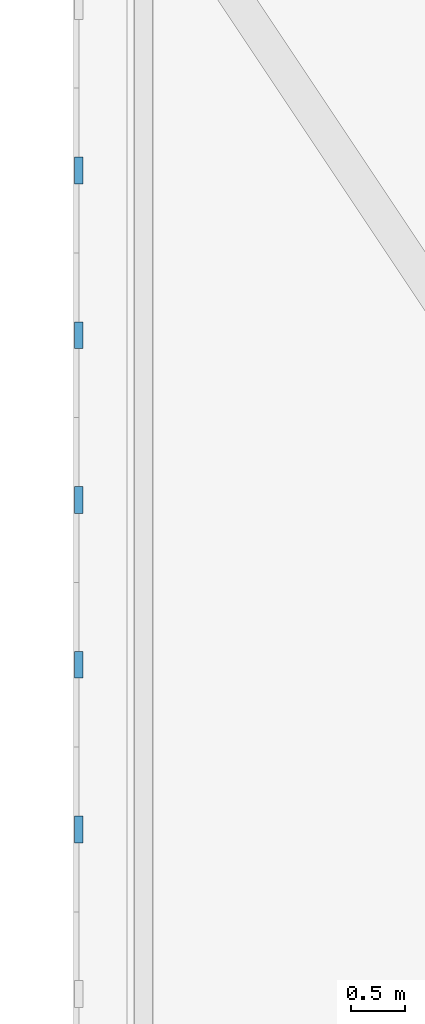
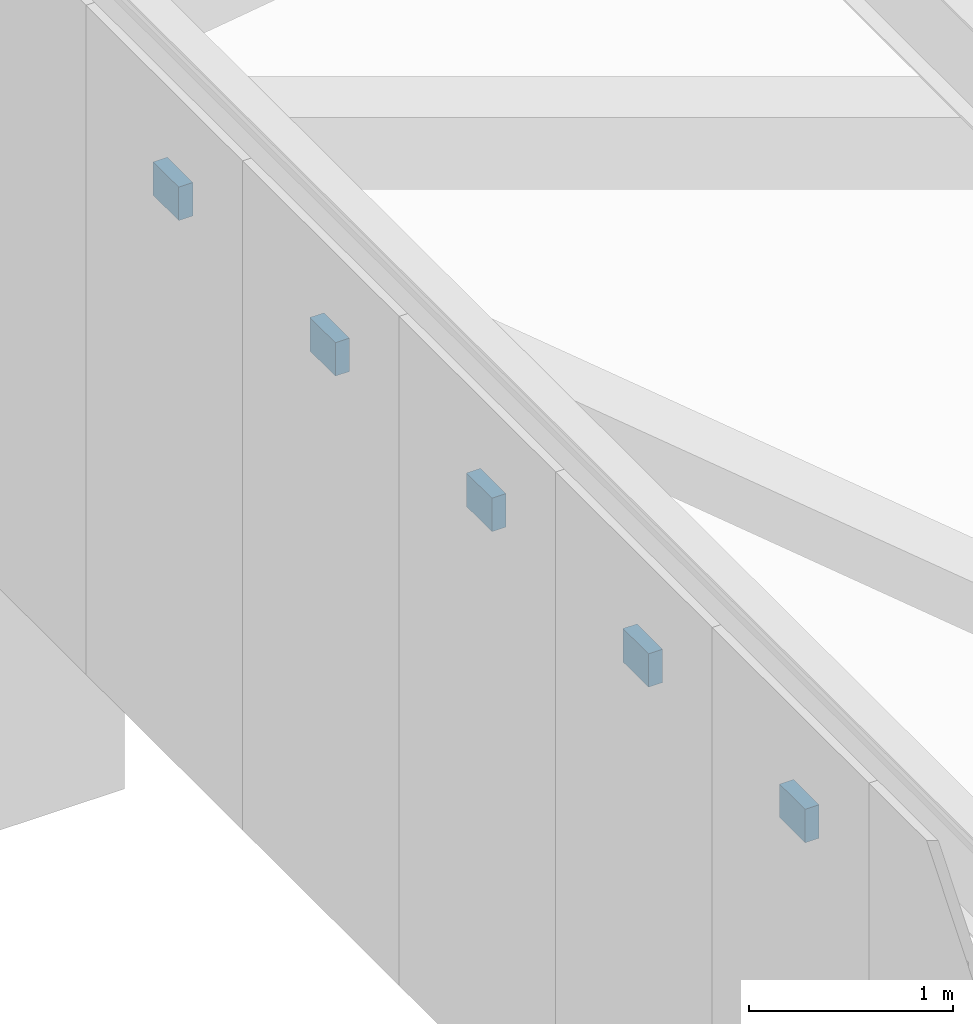
# One storey, part 129 of 278: 5 discrete accessories.
"""IFC4 building model written with IfcOpenShell, lengths in metres."""

from ifc_helpers import new_model, si_unit, direction, frame, origin, origin_2d, place, context, subcontext, project, spatial, rectangle, extrude, material, layer, layer_set, type_object, element, save


model = new_model("IFC4")

# Units and contexts
model_context = context("Model", 3, precision=1e-05, world=origin(), true_north=direction((0.0, 1.0)))
body_context = subcontext(model_context, "Body", "Model", "MODEL_VIEW")
ifc_project = project(units=[si_unit("LENGTHUNIT", "METRE"), si_unit("AREAUNIT", "SQUARE_METRE"), si_unit("VOLUMEUNIT", "CUBIC_METRE"), si_unit("PLANEANGLEUNIT", "RADIAN"), si_unit("MASSUNIT", "GRAM", prefix="KILO")], contexts=[model_context])

# Site, building, storey
site_placement = place(None, origin())
site = spatial("IfcSite", under=ifc_project, at=site_placement, CompositionType="ELEMENT")
building_placement = place(site_placement, origin())
building = spatial("IfcBuilding", under=site, at=building_placement, Name="Ogive Plaza Stadium", CompositionType="ELEMENT")
storey_placement = place(building_placement, frame((0.0, 0.0, 29.0)))
storey = spatial("IfcBuildingStorey", under=building, at=storey_placement, Name="Roof", CompositionType="ELEMENT", Elevation=29.0)

# Discrete accessories
ifc_material = material(Name="Steel ASTM A572 Grade 50", Category="steel")
ifc_layer = layer(ifc_material, 0.080078125)
ifc_layer_set = layer_set([ifc_layer], Name="Steel ASTM A572 Grade 50")
discrete_accessory_type = type_object("IfcDiscreteAccessoryType", Name="Tracery screen bracket 250x200", PredefinedType="BRACKET", material=ifc_layer_set)
for number, where, z_axis, x_axis, name in (
    (1, (-84.602294921875, -46.533203125, 5.25), (0.0, 0.0, 1.0), (0.0, 1.0, 0.0), "TRACERY SCREEN BRACKET B21 4"),
    (2, (-84.602294921875, -45.0, 5.25), (0.0, 0.0, 1.0), (0.0, 1.0, 0.0), "TRACERY SCREEN BRACKET B21 5"),
    (3, (-84.602294921875, -43.466796875, 5.25), (0.0, 0.0, 1.0), (0.0, 1.0, 0.0), "TRACERY SCREEN BRACKET B21 6"),
    (4, (-84.602294921875, -41.933349609375, 5.25), (0.0, 0.0, 1.0), (0.0, 1.0, 0.0), "TRACERY SCREEN BRACKET B21 7"),
    (5, (-84.602294921875, -40.39990234375, 5.25), (0.0, 0.0, 1.0), (0.0, 1.0, 0.0), "TRACERY SCREEN BRACKET B21 8"),
):
    element("IfcDiscreteAccessory", number, at=place(storey_placement, frame(where, z_axis=z_axis, x_axis=x_axis)), inside=storey, type_object=discrete_accessory_type, Name=name, PredefinedType="BRACKET", context=body_context, shape_type="SweptSolid", body=[
        extrude(rectangle(XDim=0.25, YDim=0.080078125, at=origin_2d()), origin(), (0.0, 0.0, 1.0), 0.199951171875),
    ])

save(model, "model.ifc")
